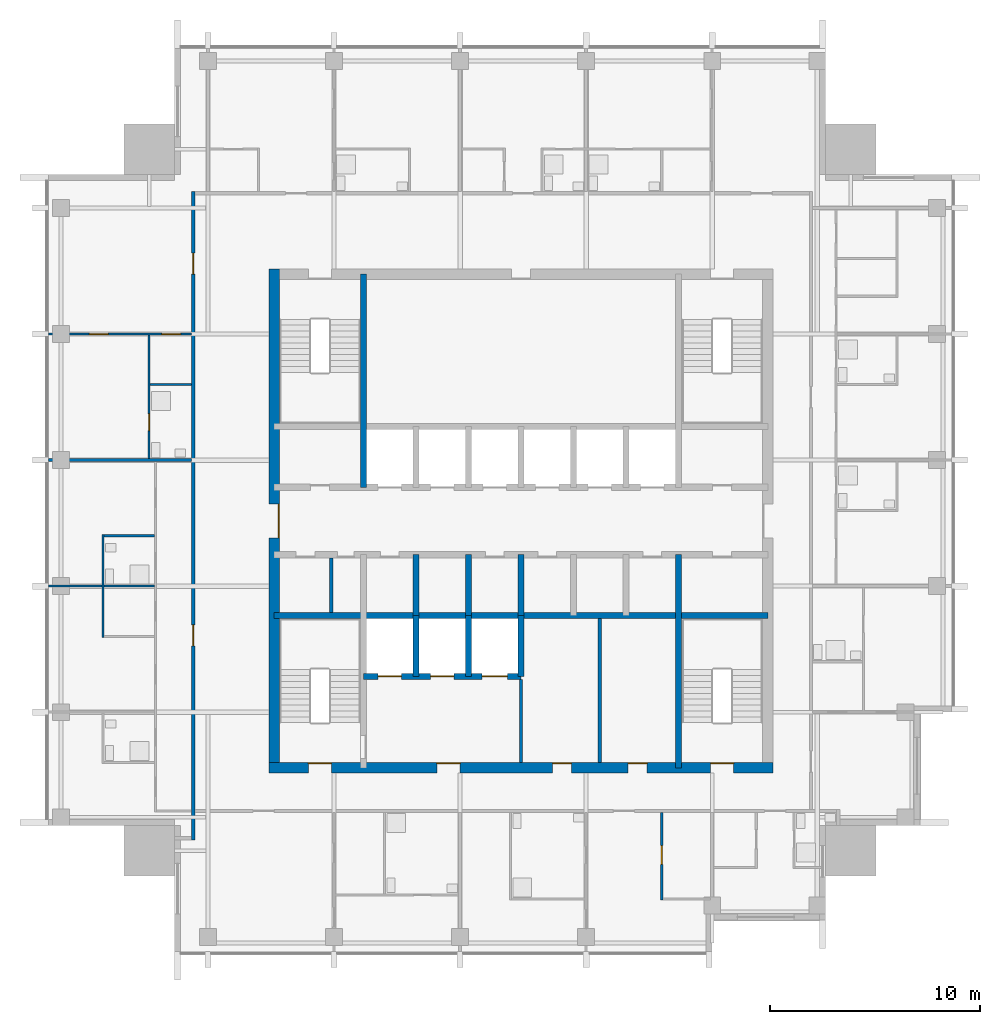
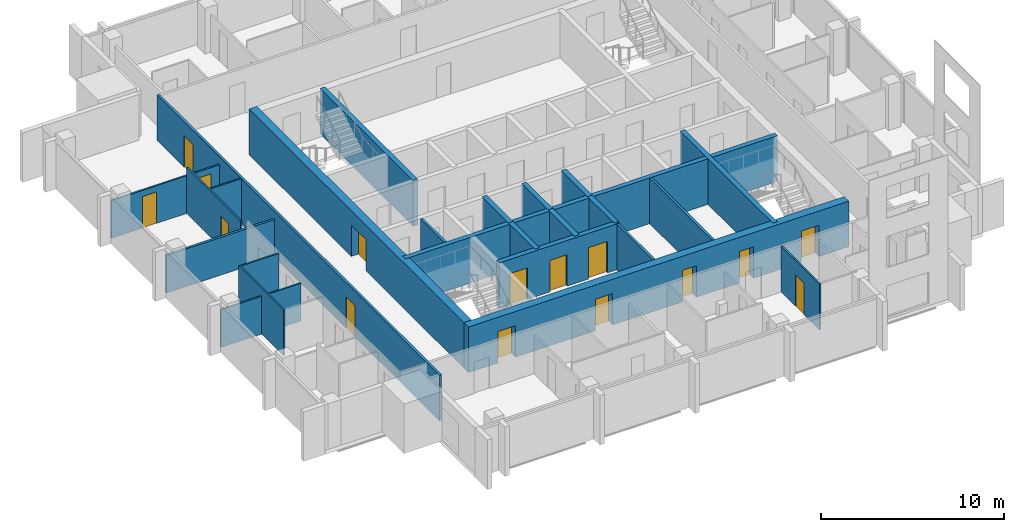
# One storey, part 4 of 9: 24 walls, 15 doors, 15 openings.
"""IFC4 building model written with IfcOpenShell, lengths in metres."""

from ifc_helpers import new_model, si_unit, direction, frame, frame_2d, origin, place, context, subcontext, project, spatial, rectangle, extrude, material, layer, layer_set, type_object, element, fill, save


model = new_model("IFC4")

# Units and contexts
model_context = context("Model", 3, precision=1e-05, world=origin(), true_north=direction((0.0, 1.0)))
body_context = subcontext(model_context, "Body", "Model", "MODEL_VIEW")
ifc_project = project(units=[si_unit("LENGTHUNIT", "METRE"), si_unit("AREAUNIT", "SQUARE_METRE"), si_unit("VOLUMEUNIT", "CUBIC_METRE"), si_unit("PLANEANGLEUNIT", "RADIAN"), si_unit("MASSUNIT", "GRAM", prefix="KILO")], contexts=[model_context])

# Site, building, storey
site_placement = place(None, origin())
site = spatial("IfcSite", under=ifc_project, at=site_placement, CompositionType="ELEMENT")
building_placement = place(site_placement, origin())
building = spatial("IfcBuilding", under=site, at=building_placement, Name="Amberfall Residences", CompositionType="ELEMENT")
storey_placement = place(building_placement, frame((0.0, 0.0, 258.699951171875)))
storey = spatial("IfcBuildingStorey", under=building, at=storey_placement, Name="L69", CompositionType="ELEMENT", Elevation=258.699951171875)

# Walls
ifc_material_1 = material(Name="Concrete C50", Category="concrete")
ifc_layer_1 = layer(ifc_material_1, 0.300048828125)
ifc_layer_set_1 = layer_set([ifc_layer_1], Name="Core wall 300 C50")
wall_type_1 = type_object("IfcWallType", Name="Core wall 300 C50", PredefinedType="SHEAR", material=ifc_layer_set_1)
wall_1_placement = place(storey_placement, frame((62.75, 41.0, 0.0), z_axis=(0.0, 0.0, 1.0), x_axis=(1.0, 0.0, 0.0)))
element("IfcWall", 1, at=wall_1_placement, inside=storey, type_object=wall_type_1, Name="Core wall RW10 L69 H75", PredefinedType="SHEAR", context=body_context, shape_type="SweptSolid", body=[
    extrude(rectangle(XDim=23.5, YDim=0.300048828125, at=frame_2d((11.75, 0.0))), origin(), (0.0, 0.0, 1.0), 3.050048828125),
])
for number, where, z_axis, x_axis, name in (
    (2, (67.0, 47.10009765625, 0.0), (0.0, 0.0, 1.0), (0.0, 1.0, 0.0), "Core wall RW10 L69 V45N"),
    (3, (82.0, 33.75, 0.0), (0.0, 0.0, 1.0), (0.0, 1.0, 0.0), "Core wall RW10 L69 V195S"),
):
    element("IfcWall", number, at=place(storey_placement, frame(where, z_axis=z_axis, x_axis=x_axis)), inside=storey, type_object=wall_type_1, Name=name, PredefinedType="SHEAR", context=body_context, shape_type="SweptSolid", body=[
        extrude(rectangle(XDim=10.14990234375, YDim=0.300048828125, at=frame_2d((5.074951171875, 0.0))), origin(), (0.0, 0.0, 1.0), 3.050048828125),
    ])
for number, where, z_axis, x_axis, name in (
    (4, (69.5, 41.0, 0.0), (0.0, 0.0, 1.0), (0.0, 1.0, 0.0), "Core wall RW10 L69 LPD1"),
    (5, (72.0, 41.0, 0.0), (0.0, 0.0, 1.0), (0.0, 1.0, 0.0), "Core wall RW10 L69 LPD2"),
    (6, (74.5, 41.0, 0.0), (0.0, 0.0, 1.0), (0.0, 1.0, 0.0), "Core wall RW10 L69 LPD3"),
):
    element("IfcWall", number, at=place(storey_placement, frame(where, z_axis=z_axis, x_axis=x_axis)), inside=storey, type_object=wall_type_1, Name=name, PredefinedType="SHEAR", context=body_context, shape_type="SweptSolid", body=[
        extrude(rectangle(XDim=2.89990234375, YDim=0.300048828125, at=frame_2d((1.449951171875, 0.0))), origin(), (0.0, 0.0, 1.0), 3.050048828125),
    ])

# Wall, openings, doors
wall_2_placement = place(storey_placement, frame((67.0, 38.10009765625, 0.0), z_axis=(0.0, 0.0, 1.0), x_axis=(1.0, 0.0, 0.0)))
wall_2 = element("IfcWall", 7, at=wall_2_placement, inside=storey, type_object=wall_type_1, Name="Core wall RW10 L69 FFF", PredefinedType="SHEAR", context=body_context, shape_type="SweptSolid", body=[
    extrude(rectangle(XDim=7.5, YDim=0.300048828125, at=frame_2d((3.75, 0.0))), origin(), (0.0, 0.0, 1.0), 3.050048828125),
])
opening_1_placement = place(wall_2_placement, frame((0.699951171875, 0.0, 0.0)))
opening_1 = element("IfcOpeningElement", 8, at=opening_1_placement, cuts=wall_2, Name="Opening LD2", PredefinedType="OPENING", context=body_context, shape_type="SweptSolid", body=[
    extrude(rectangle(XDim=1.10009765625, YDim=2.10009765625, at=frame_2d((0.550048828125, 1.050048828125))), frame((0.0, 0.159912109375, 0.0), z_axis=(0.0, -1.0, 0.0), x_axis=(1.0, 0.0, 0.0)), (0.0, 0.0, 1.0), 0.320068359375),
])
opening_2_placement = place(wall_2_placement, frame((3.199951171875, 0.0, 0.0)))
opening_2 = element("IfcOpeningElement", 9, at=opening_2_placement, cuts=wall_2, Name="Opening LD2", PredefinedType="OPENING", context=body_context, shape_type="SweptSolid", body=[
    extrude(rectangle(XDim=1.10009765625, YDim=2.10009765625, at=frame_2d((0.550048828125, 1.050048828125))), frame((0.0, 0.159912109375, 0.0), z_axis=(0.0, -1.0, 0.0), x_axis=(1.0, 0.0, 0.0)), (0.0, 0.0, 1.0), 0.320068359375),
])
opening_3_placement = place(wall_2_placement, frame((5.64990234375, 0.0, 0.0)))
opening_3 = element("IfcOpeningElement", 10, at=opening_3_placement, cuts=wall_2, Name="Opening LD3", PredefinedType="OPENING", context=body_context, shape_type="SweptSolid", body=[
    extrude(rectangle(XDim=1.199951171875, YDim=2.10009765625, at=frame_2d((0.60009765625, 1.050048828125))), frame((0.0, 0.159912109375, 0.0), z_axis=(0.0, -1.0, 0.0), x_axis=(1.0, 0.0, 0.0)), (0.0, 0.0, 1.0), 0.320068359375),
])
ifc_material_2 = material(Name="Steel fire door set", Category="steel")
door_type_1 = type_object("IfcDoorType", Name="Firefighting lift landing door 1100 x 2100", OperationType="DOUBLE_DOOR_SLIDING", PredefinedType="DOOR", material=ifc_material_2)
door_1_placement = place(opening_1_placement, origin())
door_1 = element("IfcDoor", 11, at=door_1_placement, inside=storey, type_object=door_type_1, Name="Landing door FF1 L69", OperationType="DOUBLE_DOOR_SLIDING", OverallHeight=2.10009765625, OverallWidth=1.10009765625, PredefinedType="DOOR", context=body_context, shape_type="SweptSolid", body=[
    extrude(rectangle(XDim=1.10009765625, YDim=2.10009765625, at=frame_2d((0.550048828125, 1.050048828125))), frame((0.0, 0.02490234375, 0.0), z_axis=(0.0, -1.0, 0.0), x_axis=(1.0, 0.0, 0.0)), (0.0, 0.0, 1.0), 0.050048828125),
])
fill(opening_1, door_1)
door_2_placement = place(opening_2_placement, origin())
door_2 = element("IfcDoor", 12, at=door_2_placement, inside=storey, type_object=door_type_1, Name="Landing door FF2 L69", OperationType="DOUBLE_DOOR_SLIDING", OverallHeight=2.10009765625, OverallWidth=1.10009765625, PredefinedType="DOOR", context=body_context, shape_type="SweptSolid", body=[
    extrude(rectangle(XDim=1.10009765625, YDim=2.10009765625, at=frame_2d((0.550048828125, 1.050048828125))), frame((0.0, 0.02490234375, 0.0), z_axis=(0.0, -1.0, 0.0), x_axis=(1.0, 0.0, 0.0)), (0.0, 0.0, 1.0), 0.050048828125),
])
fill(opening_2, door_2)
door_type_2 = type_object("IfcDoorType", Name="Service lift landing door 1200 x 2100", OperationType="DOUBLE_DOOR_SLIDING", PredefinedType="DOOR", material=ifc_material_2)
door_3_placement = place(opening_3_placement, origin())
door_3 = element("IfcDoor", 13, at=door_3_placement, inside=storey, type_object=door_type_2, Name="Landing door SL1 L69", OperationType="DOUBLE_DOOR_SLIDING", OverallHeight=2.10009765625, OverallWidth=1.199951171875, PredefinedType="DOOR", context=body_context, shape_type="SweptSolid", body=[
    extrude(rectangle(XDim=1.199951171875, YDim=2.10009765625, at=frame_2d((0.60009765625, 1.050048828125))), frame((0.0, 0.02490234375, 0.0), z_axis=(0.0, -1.0, 0.0), x_axis=(1.0, 0.0, 0.0)), (0.0, 0.0, 1.0), 0.050048828125),
])
fill(opening_3, door_3)

# Walls
for number, where, z_axis, x_axis, name in (
    (14, (69.5, 38.10009765625, 0.0), (0.0, 0.0, 1.0), (0.0, 1.0, 0.0), "Core wall RW10 L69 FFD1"),
    (15, (72.0, 38.10009765625, 0.0), (0.0, 0.0, 1.0), (0.0, 1.0, 0.0), "Core wall RW10 L69 FFD2"),
    (16, (74.5, 38.10009765625, 0.0), (0.0, 0.0, 1.0), (0.0, 1.0, 0.0), "Core wall RW10 L69 FFD3"),
):
    element("IfcWall", number, at=place(storey_placement, frame(where, z_axis=z_axis, x_axis=x_axis)), inside=storey, type_object=wall_type_1, Name=name, PredefinedType="SHEAR", context=body_context, shape_type="SweptSolid", body=[
        extrude(rectangle(XDim=2.89990234375, YDim=0.300048828125, at=frame_2d((1.449951171875, 0.0))), origin(), (0.0, 0.0, 1.0), 3.050048828125),
    ])

# Wall, openings, doors
ifc_layer_2 = layer(ifc_material_1, 0.5)
ifc_layer_set_2 = layer_set([ifc_layer_2], Name="Core wall 500 C50")
wall_type_2 = type_object("IfcWallType", Name="Core wall 500 C50", PredefinedType="SHEAR", material=ifc_layer_set_2)
wall_3_placement = place(storey_placement, frame((62.5, 33.75, 0.0), z_axis=(0.0, 0.0, 1.0), x_axis=(1.0, 0.0, 0.0)))
wall_3 = element("IfcWall", 17, at=wall_3_placement, inside=storey, type_object=wall_type_2, Name="Core wall RW9 L69 OS", PredefinedType="SHEAR", context=body_context, shape_type="SweptSolid", body=[
    extrude(rectangle(XDim=24.0, YDim=0.5, at=frame_2d((12.0, 0.0))), origin(), (0.0, 0.0, 1.0), 3.050048828125),
])
opening_4_placement = place(wall_3_placement, frame((1.875, 0.0, 0.0)))
opening_4 = element("IfcOpeningElement", 18, at=opening_4_placement, cuts=wall_3, Name="Opening SD1", PredefinedType="OPENING", context=body_context, shape_type="SweptSolid", body=[
    extrude(rectangle(XDim=1.10009765625, YDim=2.10009765625, at=frame_2d((0.550048828125, 1.050048828125))), frame((0.0, 0.260009765625, 0.0), z_axis=(0.0, -1.0, 0.0), x_axis=(1.0, 0.0, 0.0)), (0.0, 0.0, 1.0), 0.52001953125),
])
opening_5_placement = place(wall_3_placement, frame((21.02490234375, 0.0, 0.0)))
opening_5 = element("IfcOpeningElement", 19, at=opening_5_placement, cuts=wall_3, Name="Opening SD1", PredefinedType="OPENING", context=body_context, shape_type="SweptSolid", body=[
    extrude(rectangle(XDim=1.10009765625, YDim=2.10009765625, at=frame_2d((0.550048828125, 1.050048828125))), frame((0.0, 0.260009765625, 0.0), z_axis=(0.0, -1.0, 0.0), x_axis=(1.0, 0.0, 0.0)), (0.0, 0.0, 1.0), 0.52001953125),
])
opening_6_placement = place(wall_3_placement, frame((8.0, 0.0, 0.0)))
opening_6 = element("IfcOpeningElement", 20, at=opening_6_placement, cuts=wall_3, Name="Opening FL1", PredefinedType="OPENING", context=body_context, shape_type="SweptSolid", body=[
    extrude(rectangle(XDim=1.10009765625, YDim=2.10009765625, at=frame_2d((0.550048828125, 1.050048828125))), frame((0.0, 0.260009765625, 0.0), z_axis=(0.0, -1.0, 0.0), x_axis=(1.0, 0.0, 0.0)), (0.0, 0.0, 1.0), 0.52001953125),
])
opening_7_placement = place(wall_3_placement, frame((13.5, 0.0, 0.0)))
opening_7 = element("IfcOpeningElement", 21, at=opening_7_placement, cuts=wall_3, Name="Opening RD1", PredefinedType="OPENING", context=body_context, shape_type="SweptSolid", body=[
    extrude(rectangle(XDim=0.89990234375, YDim=2.10009765625, at=frame_2d((0.449951171875, 1.050048828125))), frame((0.0, 0.260009765625, 0.0), z_axis=(0.0, -1.0, 0.0), x_axis=(1.0, 0.0, 0.0)), (0.0, 0.0, 1.0), 0.52001953125),
])
opening_8_placement = place(wall_3_placement, frame((17.10009765625, 0.0, 0.0)))
opening_8 = element("IfcOpeningElement", 22, at=opening_8_placement, cuts=wall_3, Name="Opening RD1", PredefinedType="OPENING", context=body_context, shape_type="SweptSolid", body=[
    extrude(rectangle(XDim=0.89990234375, YDim=2.10009765625, at=frame_2d((0.449951171875, 1.050048828125))), frame((0.0, 0.260009765625, 0.0), z_axis=(0.0, -1.0, 0.0), x_axis=(1.0, 0.0, 0.0)), (0.0, 0.0, 1.0), 0.52001953125),
])
door_type_3 = type_object("IfcDoorType", Name="Firefighting lobby door 1100 x 2100", OperationType="SINGLE_SWING_LEFT", PredefinedType="DOOR", material=ifc_material_2)
door_4_placement = place(opening_6_placement, origin())
door_4 = element("IfcDoor", 23, at=door_4_placement, inside=storey, type_object=door_type_3, Name="FL1 L69", OperationType="SINGLE_SWING_LEFT", OverallHeight=2.10009765625, OverallWidth=1.10009765625, PredefinedType="DOOR", context=body_context, shape_type="SweptSolid", body=[
    extrude(rectangle(XDim=1.10009765625, YDim=2.10009765625, at=frame_2d((0.550048828125, 1.050048828125))), frame((0.0, 0.2373046875, 0.0), z_axis=(0.0, -1.0, 0.0), x_axis=(1.0, 0.0, 0.0)), (0.0, 0.0, 1.0), 0.050048828125),
])
fill(opening_6, door_4)
door_type_4 = type_object("IfcDoorType", Name="Service room door 900 x 2100", OperationType="SINGLE_SWING_LEFT", PredefinedType="DOOR", material=ifc_material_2)
door_5_placement = place(opening_7_placement, origin())
door_5 = element("IfcDoor", 24, at=door_5_placement, inside=storey, type_object=door_type_4, Name="RD1 L69", OperationType="SINGLE_SWING_LEFT", OverallHeight=2.10009765625, OverallWidth=0.89990234375, PredefinedType="DOOR", context=body_context, shape_type="SweptSolid", body=[
    extrude(rectangle(XDim=0.89990234375, YDim=2.10009765625, at=frame_2d((0.449951171875, 1.050048828125))), frame((0.0, 0.2373046875, 0.0), z_axis=(0.0, -1.0, 0.0), x_axis=(1.0, 0.0, 0.0)), (0.0, 0.0, 1.0), 0.050048828125),
])
fill(opening_7, door_5)
door_6_placement = place(opening_8_placement, origin())
door_6 = element("IfcDoor", 25, at=door_6_placement, inside=storey, type_object=door_type_4, Name="RD1 L69", OperationType="SINGLE_SWING_LEFT", OverallHeight=2.10009765625, OverallWidth=0.89990234375, PredefinedType="DOOR", context=body_context, shape_type="SweptSolid", body=[
    extrude(rectangle(XDim=0.89990234375, YDim=2.10009765625, at=frame_2d((0.449951171875, 1.050048828125))), frame((0.0, 0.2373046875, 0.0), z_axis=(0.0, -1.0, 0.0), x_axis=(1.0, 0.0, 0.0)), (0.0, 0.0, 1.0), 0.050048828125),
])
fill(opening_8, door_6)
door_type_5 = type_object("IfcDoorType", Name="Stair door 1100 x 2100", OperationType="SINGLE_SWING_LEFT", PredefinedType="DOOR", material=ifc_material_2)
door_7_placement = place(opening_4_placement, origin())
door_7 = element("IfcDoor", 26, at=door_7_placement, inside=storey, type_object=door_type_5, Name="SD1 L69", OperationType="SINGLE_SWING_LEFT", OverallHeight=2.10009765625, OverallWidth=1.10009765625, PredefinedType="DOOR", context=body_context, shape_type="SweptSolid", body=[
    extrude(rectangle(XDim=1.10009765625, YDim=2.10009765625, at=frame_2d((0.550048828125, 1.050048828125))), frame((0.0, 0.2373046875, 0.0), z_axis=(0.0, -1.0, 0.0), x_axis=(1.0, 0.0, 0.0)), (0.0, 0.0, 1.0), 0.050048828125),
])
fill(opening_4, door_7)
door_8_placement = place(opening_5_placement, origin())
door_8 = element("IfcDoor", 27, at=door_8_placement, inside=storey, type_object=door_type_5, Name="SD1 L69", OperationType="SINGLE_SWING_RIGHT", OverallHeight=2.10009765625, OverallWidth=1.10009765625, PredefinedType="DOOR", context=body_context, shape_type="SweptSolid", body=[
    extrude(rectangle(XDim=1.10009765625, YDim=2.10009765625, at=frame_2d((0.550048828125, 1.050048828125))), frame((0.0, 0.2373046875, 0.0), z_axis=(0.0, -1.0, 0.0), x_axis=(1.0, 0.0, 0.0)), (0.0, 0.0, 1.0), 0.050048828125),
])
fill(opening_5, door_8)

# Wall, opening, door
wall_4_placement = place(storey_placement, frame((62.75, 33.5, 0.0), z_axis=(0.0, 0.0, 1.0), x_axis=(0.0, 1.0, 0.0)))
wall_4 = element("IfcWall", 28, at=wall_4_placement, inside=storey, type_object=wall_type_2, Name="Core wall RW9 L69 OW", PredefinedType="SHEAR", context=body_context, shape_type="SweptSolid", body=[
    extrude(rectangle(XDim=24.0, YDim=0.5, at=frame_2d((12.0, 0.0))), origin(), (0.0, 0.0, 1.0), 3.050048828125),
])
opening_9_placement = place(wall_4_placement, frame((11.199951171875, 0.0, 0.0)))
opening_9 = element("IfcOpeningElement", 29, at=opening_9_placement, cuts=wall_4, Name="Opening LB1", PredefinedType="OPENING", context=body_context, shape_type="SweptSolid", body=[
    extrude(rectangle(XDim=1.60009765625, YDim=2.10009765625, at=frame_2d((0.800048828125, 1.050048828125))), frame((0.0, 0.260009765625, 0.0), z_axis=(0.0, -1.0, 0.0), x_axis=(1.0, 0.0, 0.0)), (0.0, 0.0, 1.0), 0.52001953125),
])
door_type_6 = type_object("IfcDoorType", Name="Lift lobby double door 1600 x 2100", OperationType="DOUBLE_DOOR_SINGLE_SWING", PredefinedType="DOOR", material=ifc_material_2)
door_9_placement = place(opening_9_placement, origin())
door_9 = element("IfcDoor", 30, at=door_9_placement, inside=storey, type_object=door_type_6, Name="LB1 L69", OperationType="DOUBLE_DOOR_SINGLE_SWING", OverallHeight=2.10009765625, OverallWidth=1.60009765625, PredefinedType="DOOR", context=body_context, shape_type="SweptSolid", body=[
    extrude(rectangle(XDim=1.60009765625, YDim=2.10009765625, at=frame_2d((0.800048828125, 1.050048828125))), frame((0.0, -0.1875, 0.0), z_axis=(0.0, -1.0, 0.0), x_axis=(1.0, 0.0, 0.0)), (0.0, 0.0, 1.0), 0.050048828125),
])
fill(opening_9, door_9)

# Wall
ifc_material_3 = material(Name="Gypsum board on metal stud")
ifc_layer_3 = layer(ifc_material_3, 0.10009765625)
ifc_layer_set_3 = layer_set([ifc_layer_3], Name="Flat partition 100")
wall_type_3 = type_object("IfcWallType", Name="Flat partition 100", PredefinedType="PARTITIONING", material=ifc_layer_set_3)
wall_5_placement = place(storey_placement, frame((54.60009765625, 39.949951171875, 0.0), z_axis=(0.0, 0.0, 1.0), x_axis=(0.0, 1.0, 0.0)))
element("IfcWall", 31, at=wall_5_placement, inside=storey, type_object=wall_type_3, Name="Partition 002", PredefinedType="PARTITIONING", context=body_context, shape_type="SweptSolid", body=[
    extrude(rectangle(XDim=4.900146484375, YDim=0.10009765625, at=frame_2d((2.4501953125, 0.0))), origin(), (0.0, 0.0, 1.0), 3.050048828125),
])

# Wall, opening, door
wall_6_placement = place(storey_placement, frame((56.800048828125, 54.35009765625, 0.0), z_axis=(0.0, 0.0, 1.0), x_axis=(0.0, -1.0, 0.0)))
wall_6 = element("IfcWall", 32, at=wall_6_placement, inside=storey, type_object=wall_type_3, Name="Partition 003", PredefinedType="PARTITIONING", context=body_context, shape_type="SweptSolid", body=[
    extrude(rectangle(XDim=5.875, YDim=0.10009765625, at=frame_2d((2.9375, 0.0))), origin(), (0.0, 0.0, 1.0), 3.050048828125),
])
opening_10_placement = place(wall_6_placement, frame((3.75, 0.0, 0.0)))
opening_10 = element("IfcOpeningElement", 33, at=opening_10_placement, cuts=wall_6, Name="Opening D42", PredefinedType="OPENING", context=body_context, shape_type="SweptSolid", body=[
    extrude(rectangle(XDim=0.800048828125, YDim=2.10009765625, at=frame_2d((0.39990234375, 1.050048828125))), frame((0.0, 0.06005859375, 0.0), z_axis=(0.0, -1.0, 0.0), x_axis=(1.0, 0.0, 0.0)), (0.0, 0.0, 1.0), 0.1201171875),
])
ifc_material_4 = material(Name="Timber", Category="wood")
door_type_7 = type_object("IfcDoorType", Name="Bathroom door 800 x 2100", OperationType="SINGLE_SWING_LEFT", PredefinedType="DOOR", material=ifc_material_4)
door_10_placement = place(opening_10_placement, origin())
door_10 = element("IfcDoor", 34, at=door_10_placement, inside=storey, type_object=door_type_7, Name="Door 6910 bath1", OperationType="SINGLE_SWING_LEFT", OverallHeight=2.10009765625, OverallWidth=0.800048828125, PredefinedType="DOOR", context=body_context, shape_type="SweptSolid", body=[
    extrude(rectangle(XDim=0.800048828125, YDim=2.10009765625, at=frame_2d((0.39990234375, 1.050048828125))), frame((0.0, 0.02490234375, 0.0), z_axis=(0.0, -1.0, 0.0), x_axis=(1.0, 0.0, 0.0)), (0.0, 0.0, 1.0), 0.050048828125),
])
fill(opening_10, door_10)

wall_7_placement = place(storey_placement, frame((81.199951171875, 31.625, 0.0), z_axis=(0.0, 0.0, 1.0), x_axis=(0.0, -1.0, 0.0)))
wall_7 = element("IfcWall", 35, at=wall_7_placement, inside=storey, type_object=wall_type_3, Name="Partition 014", PredefinedType="PARTITIONING", context=body_context, shape_type="SweptSolid", body=[
    extrude(rectangle(XDim=4.175048828125, YDim=0.10009765625, at=frame_2d((2.08740234375, 0.0))), origin(), (0.0, 0.0, 1.0), 3.050048828125),
])
opening_11_placement = place(wall_7_placement, frame((1.574951171875, 0.0, 0.0)))
opening_11 = element("IfcOpeningElement", 36, at=opening_11_placement, cuts=wall_7, Name="Opening D41", PredefinedType="OPENING", context=body_context, shape_type="SweptSolid", body=[
    extrude(rectangle(XDim=0.89990234375, YDim=2.10009765625, at=frame_2d((0.449951171875, 1.050048828125))), frame((0.0, 0.06005859375, 0.0), z_axis=(0.0, -1.0, 0.0), x_axis=(1.0, 0.0, 0.0)), (0.0, 0.0, 1.0), 0.1201171875),
])
door_type_8 = type_object("IfcDoorType", Name="Internal door 900 x 2100", OperationType="SINGLE_SWING_LEFT", PredefinedType="DOOR", material=ifc_material_4)
door_11_placement = place(opening_11_placement, origin())
door_11 = element("IfcDoor", 37, at=door_11_placement, inside=storey, type_object=door_type_8, Name="Door 6902 kitchen", OperationType="SINGLE_SWING_LEFT", OverallHeight=2.10009765625, OverallWidth=0.89990234375, PredefinedType="DOOR", context=body_context, shape_type="SweptSolid", body=[
    extrude(rectangle(XDim=0.89990234375, YDim=2.10009765625, at=frame_2d((0.449951171875, 1.050048828125))), frame((0.0, 0.02490234375, 0.0), z_axis=(0.0, -1.0, 0.0), x_axis=(1.0, 0.0, 0.0)), (0.0, 0.0, 1.0), 0.050048828125),
])
fill(opening_11, door_11)

# Wall, openings, doors
wall_8_placement = place(storey_placement, frame((58.824951171875, 54.39990234375, 0.0), z_axis=(0.0, 0.0, 1.0), x_axis=(-1.0, 0.0, 0.0)))
wall_8 = element("IfcWall", 38, at=wall_8_placement, inside=storey, type_object=wall_type_3, Name="Partition 030", PredefinedType="PARTITIONING", context=body_context, shape_type="SweptSolid", body=[
    extrude(rectangle(XDim=6.824951171875, YDim=0.10009765625, at=frame_2d((3.41259765625, 0.0))), origin(), (0.0, 0.0, 1.0), 2.51611328125),
])
opening_12_placement = place(wall_8_placement, frame((0.52490234375, 0.0, 0.0)))
opening_12 = element("IfcOpeningElement", 39, at=opening_12_placement, cuts=wall_8, Name="Opening D41", PredefinedType="OPENING", context=body_context, shape_type="SweptSolid", body=[
    extrude(rectangle(XDim=0.89990234375, YDim=2.10009765625, at=frame_2d((0.449951171875, 1.050048828125))), frame((0.0, 0.06005859375, 0.0), z_axis=(0.0, -1.0, 0.0), x_axis=(1.0, 0.0, 0.0)), (0.0, 0.0, 1.0), 0.1201171875),
])
opening_13_placement = place(wall_8_placement, frame((3.97509765625, 0.0, 0.0)))
opening_13 = element("IfcOpeningElement", 40, at=opening_13_placement, cuts=wall_8, Name="Opening D41", PredefinedType="OPENING", context=body_context, shape_type="SweptSolid", body=[
    extrude(rectangle(XDim=0.89990234375, YDim=2.10009765625, at=frame_2d((0.449951171875, 1.050048828125))), frame((0.0, 0.06005859375, 0.0), z_axis=(0.0, -1.0, 0.0), x_axis=(1.0, 0.0, 0.0)), (0.0, 0.0, 1.0), 0.1201171875),
])
door_12_placement = place(opening_12_placement, origin())
door_12 = element("IfcDoor", 41, at=door_12_placement, inside=storey, type_object=door_type_8, Name="Door 6910 kitchen", OperationType="SINGLE_SWING_LEFT", OverallHeight=2.10009765625, OverallWidth=0.89990234375, PredefinedType="DOOR", context=body_context, shape_type="SweptSolid", body=[
    extrude(rectangle(XDim=0.89990234375, YDim=2.10009765625, at=frame_2d((0.449951171875, 1.050048828125))), frame((0.0, 0.02490234375, 0.0), z_axis=(0.0, -1.0, 0.0), x_axis=(1.0, 0.0, 0.0)), (0.0, 0.0, 1.0), 0.050048828125),
])
fill(opening_12, door_12)
door_13_placement = place(opening_13_placement, origin())
door_13 = element("IfcDoor", 42, at=door_13_placement, inside=storey, type_object=door_type_8, Name="Door 6910 bedroom1", OperationType="SINGLE_SWING_LEFT", OverallHeight=2.10009765625, OverallWidth=0.89990234375, PredefinedType="DOOR", context=body_context, shape_type="SweptSolid", body=[
    extrude(rectangle(XDim=0.89990234375, YDim=2.10009765625, at=frame_2d((0.449951171875, 1.050048828125))), frame((0.0, 0.02490234375, 0.0), z_axis=(0.0, -1.0, 0.0), x_axis=(1.0, 0.0, 0.0)), (0.0, 0.0, 1.0), 0.050048828125),
])
fill(opening_13, door_13)

# Walls
wall_9_placement = place(storey_placement, frame((56.85009765625, 52.0, 0.0), z_axis=(0.0, 0.0, 1.0), x_axis=(1.0, 0.0, 0.0)))
element("IfcWall", 43, at=wall_9_placement, inside=storey, type_object=wall_type_3, Name="Partition 032", PredefinedType="PARTITIONING", context=body_context, shape_type="SweptSolid", body=[
    extrude(rectangle(XDim=1.974853515625, YDim=0.10009765625, at=frame_2d((0.9873046875, 0.0))), origin(), (0.0, 0.0, 1.0), 3.050048828125),
])
wall_10_placement = place(storey_placement, frame((54.64990234375, 44.800048828125, 0.0), z_axis=(0.0, 0.0, 1.0), x_axis=(1.0, 0.0, 0.0)))
element("IfcWall", 44, at=wall_10_placement, inside=storey, type_object=wall_type_3, Name="Partition 036", PredefinedType="PARTITIONING", context=body_context, shape_type="SweptSolid", body=[
    extrude(rectangle(XDim=2.400146484375, YDim=0.10009765625, at=frame_2d((1.2001953125, 0.0))), origin(), (0.0, 0.0, 1.0), 3.050048828125),
])
wall_11_placement = place(storey_placement, frame((52.0, 42.39990234375, 0.0), z_axis=(0.0, 0.0, 1.0), x_axis=(1.0, 0.0, 0.0)))
element("IfcWall", 45, at=wall_11_placement, inside=storey, type_object=wall_type_3, Name="Partition 037", PredefinedType="PARTITIONING", context=body_context, shape_type="SweptSolid", body=[
    extrude(rectangle(XDim=5.050048828125, YDim=0.10009765625, at=frame_2d((2.52490234375, 0.0))), origin(), (0.0, 0.0, 1.0), 2.51611328125),
])

# Wall, openings, doors
ifc_material_5 = material(Name="Blockwork, plastered", Category="masonry")
ifc_layer_4 = layer(ifc_material_5, 0.14990234375)
ifc_layer_set_4 = layer_set([ifc_layer_4], Name="Flat separating wall 150")
wall_type_4 = type_object("IfcWallType", Name="Flat separating wall 150", PredefinedType="PARTITIONING", material=ifc_layer_set_4)
wall_12_placement = place(storey_placement, frame((58.89990234375, 30.324951171875, 0.0), z_axis=(0.0, 0.0, 1.0), x_axis=(0.0, 1.0, 0.0)))
wall_12 = element("IfcWall", 46, at=wall_12_placement, inside=storey, type_object=wall_type_4, Name="Separating wall 049", PredefinedType="PARTITIONING", context=body_context, shape_type="SweptSolid", body=[
    extrude(rectangle(XDim=30.85009765625, YDim=0.14990234375, at=frame_2d((15.425048828125, 0.0))), origin(), (0.0, 0.0, 1.0), 3.050048828125),
])
opening_14_placement = place(wall_12_placement, frame((9.22509765625, 0.0, 0.0)))
opening_14 = element("IfcOpeningElement", 47, at=opening_14_placement, cuts=wall_12, Name="Opening D40", PredefinedType="OPENING", context=body_context, shape_type="SweptSolid", body=[
    extrude(rectangle(XDim=1.0, YDim=2.10009765625, at=frame_2d((0.5, 1.050048828125))), frame((0.0, 0.0849609375, 0.0), z_axis=(0.0, -1.0, 0.0), x_axis=(1.0, 0.0, 0.0)), (0.0, 0.0, 1.0), 0.169921875),
])
opening_15_placement = place(wall_12_placement, frame((26.925048828125, 0.0, 0.0)))
opening_15 = element("IfcOpeningElement", 48, at=opening_15_placement, cuts=wall_12, Name="Opening D40", PredefinedType="OPENING", context=body_context, shape_type="SweptSolid", body=[
    extrude(rectangle(XDim=1.0, YDim=2.10009765625, at=frame_2d((0.5, 1.050048828125))), frame((0.0, 0.0849609375, 0.0), z_axis=(0.0, -1.0, 0.0), x_axis=(1.0, 0.0, 0.0)), (0.0, 0.0, 1.0), 0.169921875),
])
ifc_material_6 = material(Name="Timber, fire-rated", Category="wood")
door_type_9 = type_object("IfcDoorType", Name="Flat entrance door FD60 1000 x 2100", OperationType="SINGLE_SWING_LEFT", PredefinedType="DOOR", material=ifc_material_6)
door_14_placement = place(opening_14_placement, origin())
door_14 = element("IfcDoor", 49, at=door_14_placement, inside=storey, type_object=door_type_9, Name="Door 6909 entrance", OperationType="SINGLE_SWING_LEFT", OverallHeight=2.10009765625, OverallWidth=1.0, PredefinedType="DOOR", context=body_context, shape_type="SweptSolid", body=[
    extrude(rectangle(XDim=1.0, YDim=2.10009765625, at=frame_2d((0.5, 1.050048828125))), frame((0.0, 0.02490234375, 0.0), z_axis=(0.0, -1.0, 0.0), x_axis=(1.0, 0.0, 0.0)), (0.0, 0.0, 1.0), 0.050048828125),
])
fill(opening_14, door_14)
door_15_placement = place(opening_15_placement, origin())
door_15 = element("IfcDoor", 50, at=door_15_placement, inside=storey, type_object=door_type_9, Name="Door 6910 entrance", OperationType="SINGLE_SWING_LEFT", OverallHeight=2.10009765625, OverallWidth=1.0, PredefinedType="DOOR", context=body_context, shape_type="SweptSolid", body=[
    extrude(rectangle(XDim=1.0, YDim=2.10009765625, at=frame_2d((0.5, 1.050048828125))), frame((0.0, 0.02490234375, 0.0), z_axis=(0.0, -1.0, 0.0), x_axis=(1.0, 0.0, 0.0)), (0.0, 0.0, 1.0), 0.050048828125),
])
fill(opening_15, door_15)

# Walls
wall_13_placement = place(storey_placement, frame((52.0, 48.39990234375, 0.0), z_axis=(0.0, 0.0, 1.0), x_axis=(1.0, 0.0, 0.0)))
element("IfcWall", 51, at=wall_13_placement, inside=storey, type_object=wall_type_4, Name="Separating wall 059", PredefinedType="PARTITIONING", context=body_context, shape_type="SweptSolid", body=[
    extrude(rectangle(XDim=6.824951171875, YDim=0.14990234375, at=frame_2d((3.41259765625, 0.0))), origin(), (0.0, 0.0, 1.0), 2.51611328125),
])
ifc_material_7 = material(Name="Concrete blockwork", Category="masonry")
ifc_layer_5 = layer(ifc_material_7, 0.14990234375)
ifc_layer_set_5 = layer_set([ifc_layer_5], Name="Riser wall 150")
wall_type_5 = type_object("IfcWallType", Name="Riser wall 150", PredefinedType="PLUMBINGWALL", material=ifc_layer_set_5)
wall_14_placement = place(storey_placement, frame((74.5, 34.0, 0.0), z_axis=(0.0, 0.0, 1.0), x_axis=(0.0, 1.0, 0.0)))
element("IfcWall", 52, at=wall_14_placement, inside=storey, type_object=wall_type_5, Name="L69 core wall PX", PredefinedType="PLUMBINGWALL", context=body_context, shape_type="SweptSolid", body=[
    extrude(rectangle(XDim=3.949951171875, YDim=0.14990234375, at=frame_2d((1.97509765625, 0.0))), origin(), (0.0, 0.0, 1.0), 3.050048828125),
])
wall_15_placement = place(storey_placement, frame((78.25, 34.0, 0.0), z_axis=(0.0, 0.0, 1.0), x_axis=(0.0, 1.0, 0.0)))
element("IfcWall", 53, at=wall_15_placement, inside=storey, type_object=wall_type_5, Name="L69 core wall E0", PredefinedType="PLUMBINGWALL", context=body_context, shape_type="SweptSolid", body=[
    extrude(rectangle(XDim=6.85009765625, YDim=0.14990234375, at=frame_2d((3.425048828125, 0.0))), origin(), (0.0, 0.0, 1.0), 3.050048828125),
])
wall_16_placement = place(storey_placement, frame((65.464111328125, 41.14990234375, 0.0), z_axis=(0.0, 0.0, 1.0), x_axis=(0.0, 1.0, 0.0)))
element("IfcWall", 54, at=wall_16_placement, inside=storey, type_object=wall_type_5, Name="L69 core wall ASW0", PredefinedType="PLUMBINGWALL", context=body_context, shape_type="SweptSolid", body=[
    extrude(rectangle(XDim=2.60009765625, YDim=0.14990234375, at=frame_2d((1.300048828125, 0.0))), origin(), (0.0, 0.0, 1.0), 3.050048828125),
])

save(model, "model.ifc")
